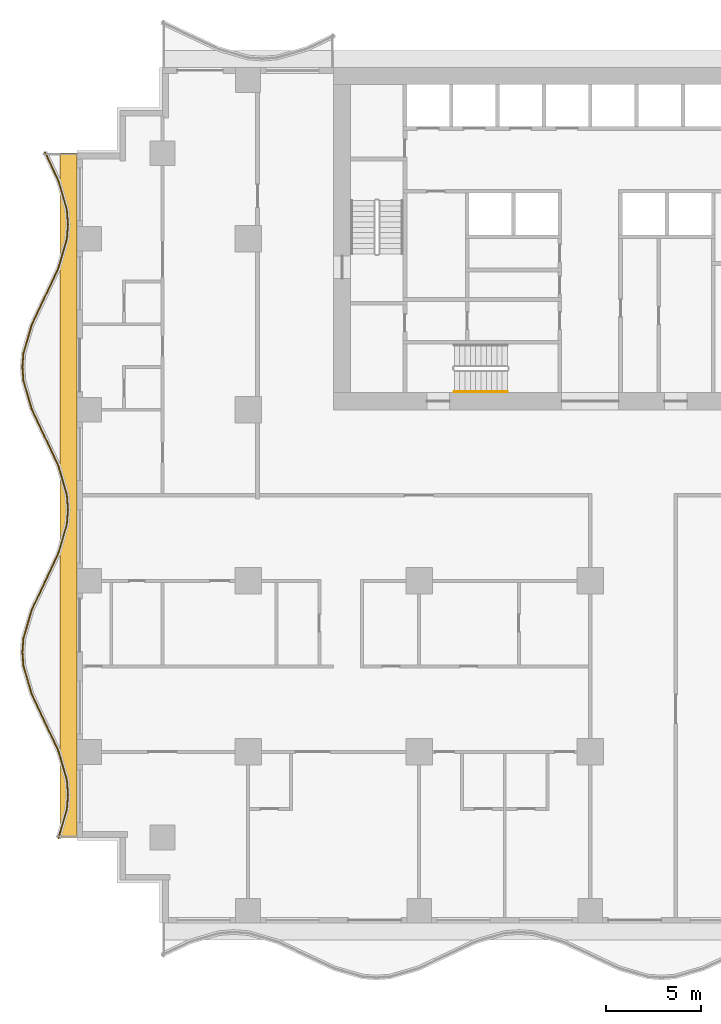
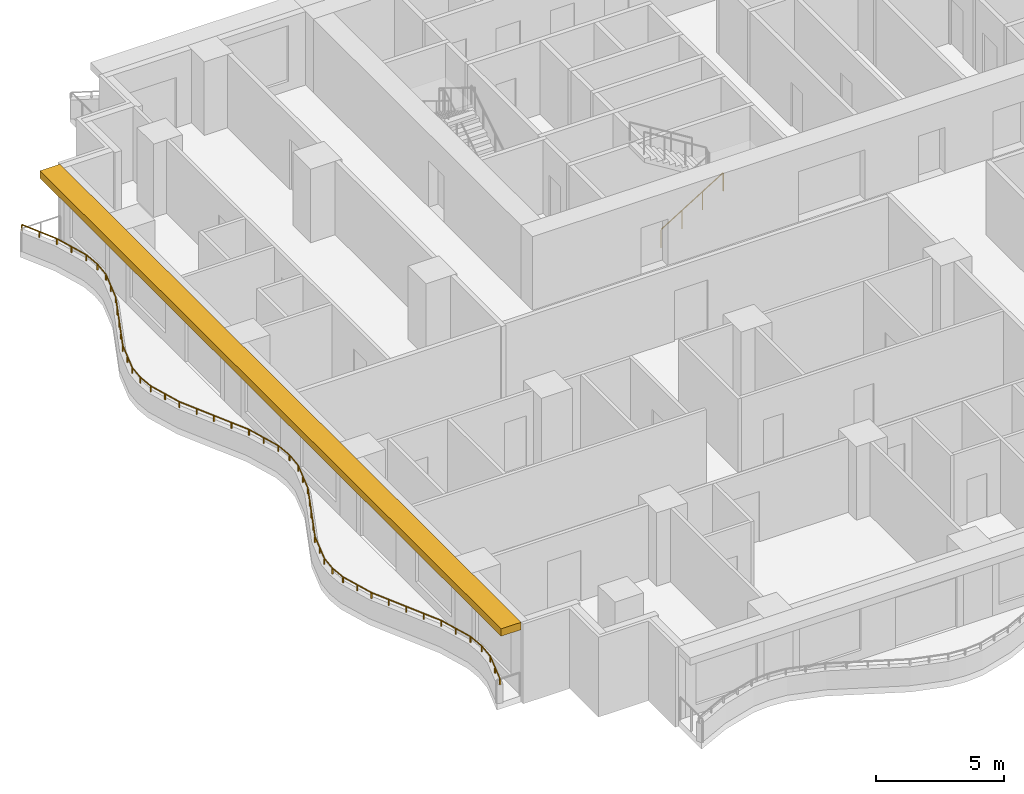
# One storey, part 8 of 13: 2 railings, 1 shading device.
"""IFC4 building model written with IfcOpenShell, lengths in metres."""

from ifc_helpers import new_model, si_unit, direction, frame, origin, origin_2d, place, context, subcontext, project, spatial, polyline, rectangle, circle, outline, extrude, material, layer, layer_set, type_object, element, save


model = new_model("IFC4")

# Units and contexts
model_context = context("Model", 3, precision=1e-05, world=origin(), true_north=direction((0.0, 1.0)))
body_context = subcontext(model_context, "Body", "Model", "MODEL_VIEW")
ifc_project = project(units=[si_unit("LENGTHUNIT", "METRE"), si_unit("AREAUNIT", "SQUARE_METRE"), si_unit("VOLUMEUNIT", "CUBIC_METRE"), si_unit("PLANEANGLEUNIT", "RADIAN"), si_unit("MASSUNIT", "GRAM", prefix="KILO")], contexts=[model_context])

# Site, building, storey
site_placement = place(None, origin())
site = spatial("IfcSite", under=ifc_project, at=site_placement, CompositionType="ELEMENT")
building_placement = place(site_placement, origin())
building = spatial("IfcBuilding", under=site, at=building_placement, Name="Orbiselva Terraces", CompositionType="ELEMENT")
storey_placement = place(building_placement, frame((0.0, 0.0, 92.2)))
storey = spatial("IfcBuildingStorey", under=building, at=storey_placement, Name="L23", CompositionType="ELEMENT", Elevation=92.2)

# Railings
ifc_material_1 = material(Name="Stainless steel", Category="steel")
railing_type_1 = type_object("IfcRailingType", Name="CORE-HANDRAIL-900", PredefinedType="HANDRAIL", material=ifc_material_1)
railing_1_placement = place(storey_placement, frame((-7.15, 5.45, 0.172727)))
element("IfcRailing", 1, at=railing_1_placement, inside=storey, type_object=railing_type_1, Name="L23 S3 stair handrail 1", PredefinedType="HANDRAIL", context=body_context, shape_type="SweptSolid", body=[
    extrude(circle(Radius=0.024, at=origin_2d()), frame((0.0, 0.0, 0.876), z_axis=(0.851088519012, 0.0, 0.52502222125), x_axis=(0.0, 1.0, 0.0)), (0.0, 0.0, 1.0), 3.289905),
    extrude(circle(Radius=0.021, at=origin_2d()), origin(), (0.0, 0.0, 1.0), 0.852),
    extrude(circle(Radius=0.021, at=origin_2d()), frame((0.933333, 0.0, 0.575758)), (0.0, 0.0, 1.0), 0.852),
    extrude(circle(Radius=0.021, at=origin_2d()), frame((1.866667, 0.0, 1.151515)), (0.0, 0.0, 1.0), 0.852),
    extrude(circle(Radius=0.021, at=origin_2d()), frame((2.8, 0.0, 1.727273)), (0.0, 0.0, 1.0), 0.852),
])
ifc_material_2 = material(Name="Bonded two-ply safety glass balustrade, stainless steel posts", Category="steel")
railing_type_2 = type_object("IfcRailingType", Name="ENV-BALUSTRADE-1200", PredefinedType="BALUSTRADE", material=ifc_material_2)
railing_2_placement = place(storey_placement, frame((-28.686882, 18.053191, 0.9)))
element("IfcRailing", 2, at=railing_2_placement, inside=storey, type_object=railing_type_2, Name="Balcony balustrade L23 W", PredefinedType="BALUSTRADE", context=body_context, shape_type="SweptSolid", body=[
    extrude(outline(polyline([(0.028868, 0.0), (0.014434, 0.025), (-0.014434, 0.025), (-0.028868, 0.0), (-0.014434, -0.025), (0.014434, -0.025), (0.028868, 0.0)])), frame((0.0, 0.0, 0.275), z_axis=(0.425530342069, -0.904944157382, 0.0), x_axis=(0.904944157382, 0.425530342069, 0.0)), (0.0, 0.0, 1.0), 1.667376),
    extrude(outline(polyline([(0.028868, 0.0), (0.014434, 0.025), (-0.014434, 0.025), (-0.028868, 0.0), (-0.014434, -0.025), (0.014434, -0.025), (0.028868, 0.0)])), frame((0.709519, -1.508882, 0.275), z_axis=(0.279070928786, -0.960270491427, 0.0), x_axis=(0.960270491427, 0.279070928786, 0.0)), (0.0, 0.0, 1.0), 1.584712),
    extrude(outline(polyline([(0.028868, 0.0), (0.014434, 0.025), (-0.014434, 0.025), (-0.028868, 0.0), (-0.014434, -0.025), (0.014434, -0.025), (0.028868, 0.0)])), frame((1.151766, -3.030634, 0.275), z_axis=(0.078071061106, -0.996947796737, 0.0), x_axis=(0.996947796737, 0.078071061106, 0.0)), (0.0, 0.0, 1.0), 0.774922),
    extrude(outline(polyline([(0.028868, 0.0), (0.014434, 0.025), (-0.014434, 0.025), (-0.028868, 0.0), (-0.014434, -0.025), (0.014434, -0.025), (0.028868, 0.0)])), frame((1.212265, -3.803191, 0.275), z_axis=(-0.078071061106, -0.996947796737, 0.0), x_axis=(0.996947796737, -0.078071061106, 0.0)), (0.0, 0.0, 1.0), 0.774922),
    extrude(outline(polyline([(0.028868, 0.0), (0.014434, 0.025), (-0.014434, 0.025), (-0.028868, 0.0), (-0.014434, -0.025), (0.014434, -0.025), (0.028868, 0.0)])), frame((1.151766, -4.575748, 0.275), z_axis=(-0.279070928786, -0.960270491427, 0.0), x_axis=(0.960270491427, -0.279070928786, 0.0)), (0.0, 0.0, 1.0), 1.584712),
    extrude(outline(polyline([(0.028868, 0.0), (0.014434, 0.025), (-0.014434, 0.025), (-0.028868, 0.0), (-0.014434, -0.025), (0.014434, -0.025), (0.028868, 0.0)])), frame((0.709519, -6.0975, 0.275), z_axis=(-0.425530342069, -0.904944157382, 0.0), x_axis=(0.904944157382, -0.425530342069, 0.0)), (0.0, 0.0, 1.0), 1.667376),
    extrude(outline(polyline([(0.028868, 0.0), (0.014434, 0.025), (-0.014434, 0.025), (-0.028868, 0.0), (-0.014434, -0.025), (0.014434, -0.025), (0.028868, 0.0)])), frame((0.0, -7.606382, 0.275), z_axis=(-0.425529912322, -0.904944359461, 0.0), x_axis=(0.904944359461, -0.425529912322, 0.0)), (0.0, 0.0, 1.0), 1.647746),
    extrude(outline(polyline([(0.028868, 0.0), (0.014434, 0.025), (-0.014434, 0.025), (-0.028868, 0.0), (-0.014434, -0.025), (0.014434, -0.025), (0.028868, 0.0)])), frame((-0.701165, -9.0975, 0.275), z_axis=(-0.279071528957, -0.960270317007, 0.0), x_axis=(0.960270317007, -0.279071528957, 0.0)), (0.0, 0.0, 1.0), 1.539408),
    extrude(outline(polyline([(0.028868, 0.0), (0.014434, 0.025), (-0.014434, 0.025), (-0.028868, 0.0), (-0.014434, -0.025), (0.014434, -0.025), (0.028868, 0.0)])), frame((-1.13077, -10.575748, 0.275), z_axis=(-0.078069536776, -0.996947916106, 0.0), x_axis=(0.996947916106, -0.078069536776, 0.0)), (0.0, 0.0, 1.0), 0.72967),
    extrude(outline(polyline([(0.028868, 0.0), (0.014434, 0.025), (-0.014434, 0.025), (-0.028868, 0.0), (-0.014434, -0.025), (0.014434, -0.025), (0.028868, 0.0)])), frame((-1.187735, -11.303191, 0.275), z_axis=(0.078069536776, -0.996947916106, 0.0), x_axis=(0.996947916106, 0.078069536776, 0.0)), (0.0, 0.0, 1.0), 0.72967),
    extrude(outline(polyline([(0.028868, 0.0), (0.014434, 0.025), (-0.014434, 0.025), (-0.028868, 0.0), (-0.014434, -0.025), (0.014434, -0.025), (0.028868, 0.0)])), frame((-1.13077, -12.030634, 0.275), z_axis=(0.279071528957, -0.960270317007, 0.0), x_axis=(0.960270317007, 0.279071528957, 0.0)), (0.0, 0.0, 1.0), 1.539408),
    extrude(outline(polyline([(0.028868, 0.0), (0.014434, 0.025), (-0.014434, 0.025), (-0.028868, 0.0), (-0.014434, -0.025), (0.014434, -0.025), (0.028868, 0.0)])), frame((-0.701165, -13.508882, 0.275), z_axis=(0.425529912322, -0.904944359461, 0.0), x_axis=(0.904944359461, 0.425529912322, 0.0)), (0.0, 0.0, 1.0), 1.647746),
    extrude(outline(polyline([(0.028868, 0.0), (0.014434, 0.025), (-0.014434, 0.025), (-0.028868, 0.0), (-0.014434, -0.025), (0.014434, -0.025), (0.028868, 0.0)])), frame((0.0, -15.0, 0.275), z_axis=(0.425530342069, -0.904944157382, 0.0), x_axis=(0.904944157382, 0.425530342069, 0.0)), (0.0, 0.0, 1.0), 1.667376),
    extrude(outline(polyline([(0.028868, 0.0), (0.014434, 0.025), (-0.014434, 0.025), (-0.028868, 0.0), (-0.014434, -0.025), (0.014434, -0.025), (0.028868, 0.0)])), frame((0.709519, -16.508882, 0.275), z_axis=(0.279070928786, -0.960270491427, 0.0), x_axis=(0.960270491427, 0.279070928786, 0.0)), (0.0, 0.0, 1.0), 1.584712),
    extrude(outline(polyline([(0.028868, 0.0), (0.014434, 0.025), (-0.014434, 0.025), (-0.028868, 0.0), (-0.014434, -0.025), (0.014434, -0.025), (0.028868, 0.0)])), frame((1.151766, -18.030634, 0.275), z_axis=(0.078071061106, -0.996947796737, 0.0), x_axis=(0.996947796737, 0.078071061106, 0.0)), (0.0, 0.0, 1.0), 0.774922),
    extrude(outline(polyline([(0.028868, 0.0), (0.014434, 0.025), (-0.014434, 0.025), (-0.028868, 0.0), (-0.014434, -0.025), (0.014434, -0.025), (0.028868, 0.0)])), frame((1.212265, -18.803191, 0.275), z_axis=(-0.078071061106, -0.996947796737, 0.0), x_axis=(0.996947796737, -0.078071061106, 0.0)), (0.0, 0.0, 1.0), 0.774922),
    extrude(outline(polyline([(0.028868, 0.0), (0.014434, 0.025), (-0.014434, 0.025), (-0.028868, 0.0), (-0.014434, -0.025), (0.014434, -0.025), (0.028868, 0.0)])), frame((1.151766, -19.575748, 0.275), z_axis=(-0.279070928786, -0.960270491427, 0.0), x_axis=(0.960270491427, -0.279070928786, 0.0)), (0.0, 0.0, 1.0), 1.584712),
    extrude(outline(polyline([(0.028868, 0.0), (0.014434, 0.025), (-0.014434, 0.025), (-0.028868, 0.0), (-0.014434, -0.025), (0.014434, -0.025), (0.028868, 0.0)])), frame((0.709519, -21.0975, 0.275), z_axis=(-0.425530342069, -0.904944157382, 0.0), x_axis=(0.904944157382, -0.425530342069, 0.0)), (0.0, 0.0, 1.0), 1.667376),
    extrude(outline(polyline([(0.028868, 0.0), (0.014434, 0.025), (-0.014434, 0.025), (-0.028868, 0.0), (-0.014434, -0.025), (0.014434, -0.025), (0.028868, 0.0)])), frame((0.0, -22.606382, 0.275), z_axis=(-0.425529912322, -0.904944359461, 0.0), x_axis=(0.904944359461, -0.425529912322, 0.0)), (0.0, 0.0, 1.0), 1.647746),
    extrude(outline(polyline([(0.028868, 0.0), (0.014434, 0.025), (-0.014434, 0.025), (-0.028868, 0.0), (-0.014434, -0.025), (0.014434, -0.025), (0.028868, 0.0)])), frame((-0.701165, -24.0975, 0.275), z_axis=(-0.279071528957, -0.960270317007, 0.0), x_axis=(0.960270317007, -0.279071528957, 0.0)), (0.0, 0.0, 1.0), 1.539408),
    extrude(outline(polyline([(0.028868, 0.0), (0.014434, 0.025), (-0.014434, 0.025), (-0.028868, 0.0), (-0.014434, -0.025), (0.014434, -0.025), (0.028868, 0.0)])), frame((-1.13077, -25.575748, 0.275), z_axis=(-0.078069536776, -0.996947916106, 0.0), x_axis=(0.996947916106, -0.078069536776, 0.0)), (0.0, 0.0, 1.0), 0.72967),
    extrude(outline(polyline([(0.028868, 0.0), (0.014434, 0.025), (-0.014434, 0.025), (-0.028868, 0.0), (-0.014434, -0.025), (0.014434, -0.025), (0.028868, 0.0)])), frame((-1.187735, -26.303191, 0.275), z_axis=(0.078069536776, -0.996947916106, 0.0), x_axis=(0.996947916106, 0.078069536776, 0.0)), (0.0, 0.0, 1.0), 0.72967),
    extrude(outline(polyline([(0.028868, 0.0), (0.014434, 0.025), (-0.014434, 0.025), (-0.028868, 0.0), (-0.014434, -0.025), (0.014434, -0.025), (0.028868, 0.0)])), frame((-1.13077, -27.030634, 0.275), z_axis=(0.279071528957, -0.960270317007, 0.0), x_axis=(0.960270317007, 0.279071528957, 0.0)), (0.0, 0.0, 1.0), 1.539408),
    extrude(outline(polyline([(0.028868, 0.0), (0.014434, 0.025), (-0.014434, 0.025), (-0.028868, 0.0), (-0.014434, -0.025), (0.014434, -0.025), (0.028868, 0.0)])), frame((-0.701165, -28.508882, 0.275), z_axis=(0.425529912322, -0.904944359461, 0.0), x_axis=(0.904944359461, 0.425529912322, 0.0)), (0.0, 0.0, 1.0), 1.647746),
    extrude(outline(polyline([(0.028868, 0.0), (0.014434, 0.025), (-0.014434, 0.025), (-0.028868, 0.0), (-0.014434, -0.025), (0.014434, -0.025), (0.028868, 0.0)])), frame((0.0, -30.0, 0.275), z_axis=(0.425530342069, -0.904944157382, 0.0), x_axis=(0.904944157382, 0.425530342069, 0.0)), (0.0, 0.0, 1.0), 1.667376),
    extrude(outline(polyline([(0.028868, 0.0), (0.014434, 0.025), (-0.014434, 0.025), (-0.028868, 0.0), (-0.014434, -0.025), (0.014434, -0.025), (0.028868, 0.0)])), frame((0.709519, -31.508882, 0.275), z_axis=(0.279070928786, -0.960270491427, 0.0), x_axis=(0.960270491427, 0.279070928786, 0.0)), (0.0, 0.0, 1.0), 1.584712),
    extrude(outline(polyline([(0.028868, 0.0), (0.014434, 0.025), (-0.014434, 0.025), (-0.028868, 0.0), (-0.014434, -0.025), (0.014434, -0.025), (0.028868, 0.0)])), frame((1.151766, -33.030634, 0.275), z_axis=(0.078071061106, -0.996947796737, 0.0), x_axis=(0.996947796737, 0.078071061106, 0.0)), (0.0, 0.0, 1.0), 0.774922),
    extrude(outline(polyline([(0.028868, 0.0), (0.014434, 0.025), (-0.014434, 0.025), (-0.028868, 0.0), (-0.014434, -0.025), (0.014434, -0.025), (0.028868, 0.0)])), frame((1.212265, -33.803191, 0.275), z_axis=(-0.078071061106, -0.996947796737, 0.0), x_axis=(0.996947796737, -0.078071061106, 0.0)), (0.0, 0.0, 1.0), 0.774922),
    extrude(outline(polyline([(0.028868, 0.0), (0.014434, 0.025), (-0.014434, 0.025), (-0.028868, 0.0), (-0.014434, -0.025), (0.014434, -0.025), (0.028868, 0.0)])), frame((1.151766, -34.575748, 0.275), z_axis=(-0.279070966973, -0.96027048033, 0.0), x_axis=(0.96027048033, -0.279070966973, 0.0)), (0.0, 0.0, 1.0), 1.574897),
    extrude(rectangle(XDim=0.05, YDim=0.05, at=origin_2d()), origin(), (0.0, 0.0, 1.0), 0.25),
    extrude(rectangle(XDim=0.05, YDim=0.05, at=origin_2d()), frame((0.35476, -0.754441, 0.0)), (0.0, 0.0, 1.0), 0.25),
    extrude(rectangle(XDim=0.05, YDim=0.05, at=origin_2d()), frame((0.709519, -1.508882, 0.0)), (0.0, 0.0, 1.0), 0.25),
    extrude(rectangle(XDim=0.05, YDim=0.05, at=origin_2d()), frame((0.930643, -2.269758, 0.0)), (0.0, 0.0, 1.0), 0.25),
    extrude(rectangle(XDim=0.05, YDim=0.05, at=origin_2d()), frame((1.151766, -3.030634, 0.0)), (0.0, 0.0, 1.0), 0.25),
    extrude(rectangle(XDim=0.05, YDim=0.05, at=origin_2d()), frame((1.212265, -3.803191, 0.0)), (0.0, 0.0, 1.0), 0.25),
    extrude(rectangle(XDim=0.05, YDim=0.05, at=origin_2d()), frame((1.151766, -4.575748, 0.0)), (0.0, 0.0, 1.0), 0.25),
    extrude(rectangle(XDim=0.05, YDim=0.05, at=origin_2d()), frame((0.930643, -5.336624, 0.0)), (0.0, 0.0, 1.0), 0.25),
    extrude(rectangle(XDim=0.05, YDim=0.05, at=origin_2d()), frame((0.709519, -6.0975, 0.0)), (0.0, 0.0, 1.0), 0.25),
    extrude(rectangle(XDim=0.05, YDim=0.05, at=origin_2d()), frame((0.35476, -6.851941, 0.0)), (0.0, 0.0, 1.0), 0.25),
    extrude(rectangle(XDim=0.05, YDim=0.05, at=origin_2d()), frame((0.0, -7.606382, 0.0)), (0.0, 0.0, 1.0), 0.25),
    extrude(rectangle(XDim=0.05, YDim=0.05, at=origin_2d()), frame((-0.350582, -8.351941, 0.0)), (0.0, 0.0, 1.0), 0.25),
    extrude(rectangle(XDim=0.05, YDim=0.05, at=origin_2d()), frame((-0.701165, -9.0975, 0.0)), (0.0, 0.0, 1.0), 0.25),
    extrude(rectangle(XDim=0.05, YDim=0.05, at=origin_2d()), frame((-0.915967, -9.836624, 0.0)), (0.0, 0.0, 1.0), 0.25),
    extrude(rectangle(XDim=0.05, YDim=0.05, at=origin_2d()), frame((-1.13077, -10.575748, 0.0)), (0.0, 0.0, 1.0), 0.25),
    extrude(rectangle(XDim=0.05, YDim=0.05, at=origin_2d()), frame((-1.187735, -11.303191, 0.0)), (0.0, 0.0, 1.0), 0.25),
    extrude(rectangle(XDim=0.05, YDim=0.05, at=origin_2d()), frame((-1.13077, -12.030634, 0.0)), (0.0, 0.0, 1.0), 0.25),
    extrude(rectangle(XDim=0.05, YDim=0.05, at=origin_2d()), frame((-0.915967, -12.769758, 0.0)), (0.0, 0.0, 1.0), 0.25),
    extrude(rectangle(XDim=0.05, YDim=0.05, at=origin_2d()), frame((-0.701165, -13.508882, 0.0)), (0.0, 0.0, 1.0), 0.25),
    extrude(rectangle(XDim=0.05, YDim=0.05, at=origin_2d()), frame((-0.350582, -14.254441, 0.0)), (0.0, 0.0, 1.0), 0.25),
    extrude(rectangle(XDim=0.05, YDim=0.05, at=origin_2d()), frame((0.0, -15.0, 0.0)), (0.0, 0.0, 1.0), 0.25),
    extrude(rectangle(XDim=0.05, YDim=0.05, at=origin_2d()), frame((0.35476, -15.754441, 0.0)), (0.0, 0.0, 1.0), 0.25),
    extrude(rectangle(XDim=0.05, YDim=0.05, at=origin_2d()), frame((0.709519, -16.508882, 0.0)), (0.0, 0.0, 1.0), 0.25),
    extrude(rectangle(XDim=0.05, YDim=0.05, at=origin_2d()), frame((0.930643, -17.269758, 0.0)), (0.0, 0.0, 1.0), 0.25),
    extrude(rectangle(XDim=0.05, YDim=0.05, at=origin_2d()), frame((1.151766, -18.030634, 0.0)), (0.0, 0.0, 1.0), 0.25),
    extrude(rectangle(XDim=0.05, YDim=0.05, at=origin_2d()), frame((1.212265, -18.803191, 0.0)), (0.0, 0.0, 1.0), 0.25),
    extrude(rectangle(XDim=0.05, YDim=0.05, at=origin_2d()), frame((1.151766, -19.575748, 0.0)), (0.0, 0.0, 1.0), 0.25),
    extrude(rectangle(XDim=0.05, YDim=0.05, at=origin_2d()), frame((0.930643, -20.336624, 0.0)), (0.0, 0.0, 1.0), 0.25),
    extrude(rectangle(XDim=0.05, YDim=0.05, at=origin_2d()), frame((0.709519, -21.0975, 0.0)), (0.0, 0.0, 1.0), 0.25),
    extrude(rectangle(XDim=0.05, YDim=0.05, at=origin_2d()), frame((0.35476, -21.851941, 0.0)), (0.0, 0.0, 1.0), 0.25),
    extrude(rectangle(XDim=0.05, YDim=0.05, at=origin_2d()), frame((0.0, -22.606382, 0.0)), (0.0, 0.0, 1.0), 0.25),
    extrude(rectangle(XDim=0.05, YDim=0.05, at=origin_2d()), frame((-0.350582, -23.351941, 0.0)), (0.0, 0.0, 1.0), 0.25),
    extrude(rectangle(XDim=0.05, YDim=0.05, at=origin_2d()), frame((-0.701165, -24.0975, 0.0)), (0.0, 0.0, 1.0), 0.25),
    extrude(rectangle(XDim=0.05, YDim=0.05, at=origin_2d()), frame((-0.915967, -24.836624, 0.0)), (0.0, 0.0, 1.0), 0.25),
    extrude(rectangle(XDim=0.05, YDim=0.05, at=origin_2d()), frame((-1.13077, -25.575748, 0.0)), (0.0, 0.0, 1.0), 0.25),
    extrude(rectangle(XDim=0.05, YDim=0.05, at=origin_2d()), frame((-1.187735, -26.303191, 0.0)), (0.0, 0.0, 1.0), 0.25),
    extrude(rectangle(XDim=0.05, YDim=0.05, at=origin_2d()), frame((-1.13077, -27.030634, 0.0)), (0.0, 0.0, 1.0), 0.25),
    extrude(rectangle(XDim=0.05, YDim=0.05, at=origin_2d()), frame((-0.915967, -27.769758, 0.0)), (0.0, 0.0, 1.0), 0.25),
    extrude(rectangle(XDim=0.05, YDim=0.05, at=origin_2d()), frame((-0.701165, -28.508882, 0.0)), (0.0, 0.0, 1.0), 0.25),
    extrude(rectangle(XDim=0.05, YDim=0.05, at=origin_2d()), frame((-0.350582, -29.254441, 0.0)), (0.0, 0.0, 1.0), 0.25),
    extrude(rectangle(XDim=0.05, YDim=0.05, at=origin_2d()), frame((0.0, -30.0, 0.0)), (0.0, 0.0, 1.0), 0.25),
    extrude(rectangle(XDim=0.05, YDim=0.05, at=origin_2d()), frame((0.35476, -30.754441, 0.0)), (0.0, 0.0, 1.0), 0.25),
    extrude(rectangle(XDim=0.05, YDim=0.05, at=origin_2d()), frame((0.709519, -31.508882, 0.0)), (0.0, 0.0, 1.0), 0.25),
    extrude(rectangle(XDim=0.05, YDim=0.05, at=origin_2d()), frame((0.930643, -32.269758, 0.0)), (0.0, 0.0, 1.0), 0.25),
    extrude(rectangle(XDim=0.05, YDim=0.05, at=origin_2d()), frame((1.151766, -33.030634, 0.0)), (0.0, 0.0, 1.0), 0.25),
    extrude(rectangle(XDim=0.05, YDim=0.05, at=origin_2d()), frame((1.212265, -33.803191, 0.0)), (0.0, 0.0, 1.0), 0.25),
    extrude(rectangle(XDim=0.05, YDim=0.05, at=origin_2d()), frame((1.151766, -34.575748, 0.0)), (0.0, 0.0, 1.0), 0.25),
    extrude(rectangle(XDim=0.05, YDim=0.05, at=origin_2d()), frame((0.932012, -35.331912, 0.0)), (0.0, 0.0, 1.0), 0.25),
    extrude(rectangle(XDim=0.05, YDim=0.05, at=origin_2d()), frame((0.712258, -36.088075, 0.0)), (0.0, 0.0, 1.0), 0.25),
])

# Shading device
ifc_material_3 = material(Name="Terracotta baguette sunshade", Category="masonry")
ifc_layer = layer(ifc_material_3, 0.35)
ifc_layer_set = layer_set([ifc_layer], Name="Terracotta baguette sunshade")
shading_device_type = type_object("IfcShadingDeviceType", Name="ENV-SUNSHADE-900x350", PredefinedType="USERDEFINED", material=ifc_layer_set)
shading_device_placement = place(storey_placement, frame((0.0, 0.0, 3.15)))
element("IfcShadingDevice", 3, at=shading_device_placement, inside=storey, type_object=shading_device_type, Name="Sunshade band L23 W", ObjectType="SUNSHADE", PredefinedType="USERDEFINED", context=body_context, shape_type="SweptSolid", body=[
    extrude(outline(polyline([(-27.9, 18.0), (-27.9, -18.0), (-27.0, -18.0), (-27.0, 18.0), (-27.9, 18.0)])), origin(), (0.0, 0.0, 1.0), 0.35),
])

save(model, "model.ifc")
